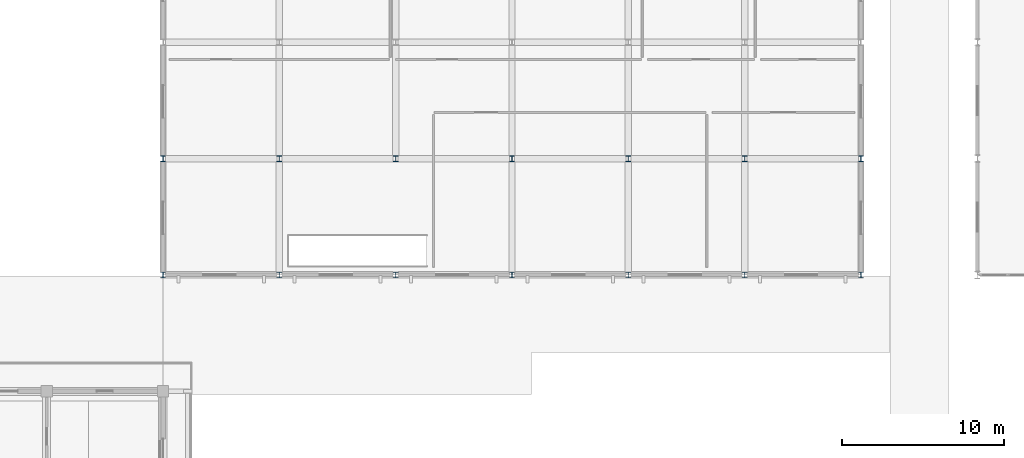
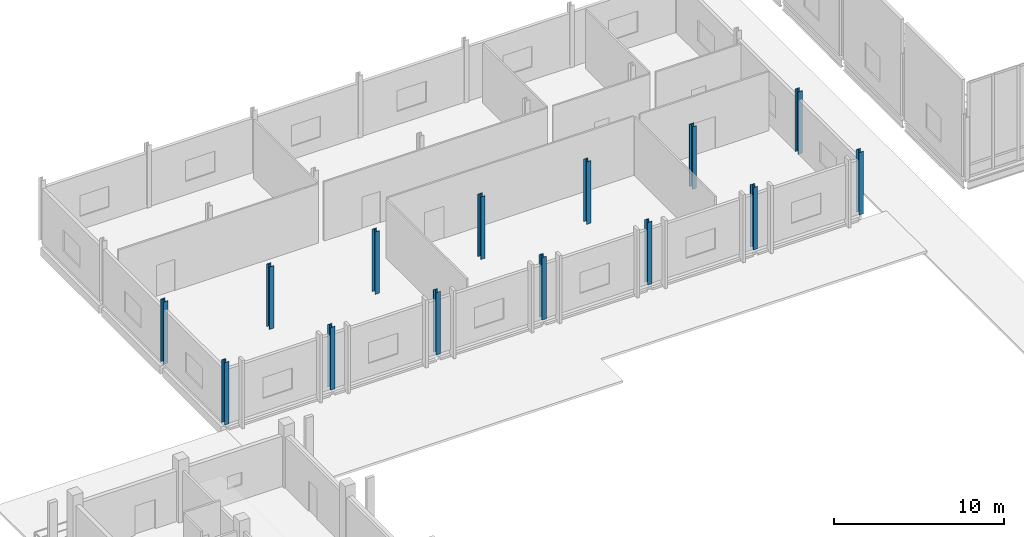
# One storey, part 2 of 110: 14 columns.
"""IFC4 building model written with IfcOpenShell, lengths in metres."""

from ifc_helpers import new_model, si_unit, direction, frame, origin, origin_2d, place, context, subcontext, project, spatial, i_section, extrude, material, material_profile, profile_set, type_object, element, save


model = new_model("IFC4")

# Units and contexts
model_context = context("Model", 3, precision=1e-05, world=origin(), true_north=direction((0.0, 1.0)))
body_context = subcontext(model_context, "Body", "Model", "MODEL_VIEW")
ifc_project = project(units=[si_unit("LENGTHUNIT", "METRE"), si_unit("AREAUNIT", "SQUARE_METRE"), si_unit("VOLUMEUNIT", "CUBIC_METRE"), si_unit("PLANEANGLEUNIT", "RADIAN"), si_unit("MASSUNIT", "GRAM", prefix="KILO")], contexts=[model_context])

# Site, building, storey
site_placement = place(None, origin())
site = spatial("IfcSite", under=ifc_project, at=site_placement, CompositionType="ELEMENT")
building_placement = place(site_placement, origin())
building = spatial("IfcBuilding", under=site, at=building_placement, Name="Suanplinth Sawtooth Commons", CompositionType="ELEMENT")
storey_placement = place(building_placement, frame((0.0, 0.0, 4.5)))
storey = spatial("IfcBuildingStorey", under=building, at=storey_placement, Name="L01", CompositionType="ELEMENT", Elevation=4.5)

# Columns
ifc_material = material(Name="Steel S355JR", Category="steel")
ifc_material_profile = material_profile(ifc_material, i_section(OverallWidth=0.300048828125, OverallDepth=0.360107421875, WebThickness=0.012451171875, FlangeThickness=0.0224609375, at=origin_2d()), Name="HEB 360")
ifc_profile_set = profile_set([ifc_material_profile], Name="Steel S355JR")
column_type = type_object("IfcColumnType", Name="C-10", PredefinedType="COLUMN", material=ifc_profile_set)
for number, where, z_axis, x_axis, name in (
    (1, (14.39990234375, 50.39990234375, 0.0), (0.0, 0.0, 1.0), (1.0, 0.0, 0.0), "Column L01 3/H"),
    (2, (14.39990234375, 57.60009765625, 0.0), (0.0, 0.0, 1.0), (1.0, 0.0, 0.0), "Column L01 3/J"),
    (3, (21.60009765625, 50.39990234375, 0.0), (0.0, 0.0, 1.0), (1.0, 0.0, 0.0), "Column L01 4/H"),
    (4, (21.60009765625, 57.60009765625, 0.0), (0.0, 0.0, 1.0), (1.0, 0.0, 0.0), "Column L01 4/J"),
    (5, (28.800048828125, 50.39990234375, 0.0), (0.0, 0.0, 1.0), (1.0, 0.0, 0.0), "Column L01 5/H"),
    (6, (28.800048828125, 57.60009765625, 0.0), (0.0, 0.0, 1.0), (1.0, 0.0, 0.0), "Column L01 5/J"),
    (7, (36.0, 50.39990234375, 0.0), (0.0, 0.0, 1.0), (1.0, 0.0, 0.0), "Column L01 6/H"),
    (8, (36.0, 57.60009765625, 0.0), (0.0, 0.0, 1.0), (1.0, 0.0, 0.0), "Column L01 6/J"),
    (9, (43.199951171875, 50.39990234375, 0.0), (0.0, 0.0, 1.0), (1.0, 0.0, 0.0), "Column L01 7/H"),
    (10, (43.199951171875, 57.60009765625, 0.0), (0.0, 0.0, 1.0), (1.0, 0.0, 0.0), "Column L01 7/J"),
    (11, (50.39990234375, 50.39990234375, 0.0), (0.0, 0.0, 1.0), (1.0, 0.0, 0.0), "Column L01 8/H"),
    (12, (50.39990234375, 57.60009765625, 0.0), (0.0, 0.0, 1.0), (1.0, 0.0, 0.0), "Column L01 8/J"),
    (13, (57.60009765625, 50.39990234375, 0.0), (0.0, 0.0, 1.0), (1.0, 0.0, 0.0), "Column L01 9/H"),
    (14, (57.60009765625, 57.60009765625, 0.0), (0.0, 0.0, 1.0), (1.0, 0.0, 0.0), "Column L01 9/J"),
):
    element("IfcColumn", number, at=place(storey_placement, frame(where, z_axis=z_axis, x_axis=x_axis)), inside=storey, type_object=column_type, Name=name, PredefinedType="COLUMN", context=body_context, shape_type="SweptSolid", body=[
        extrude(i_section(OverallWidth=0.300048828125, OverallDepth=0.360107421875, WebThickness=0.012451171875, FlangeThickness=0.0224609375, at=origin_2d()), origin(), (0.0, 0.0, 1.0), 4.5),
    ])

save(model, "model.ifc")
